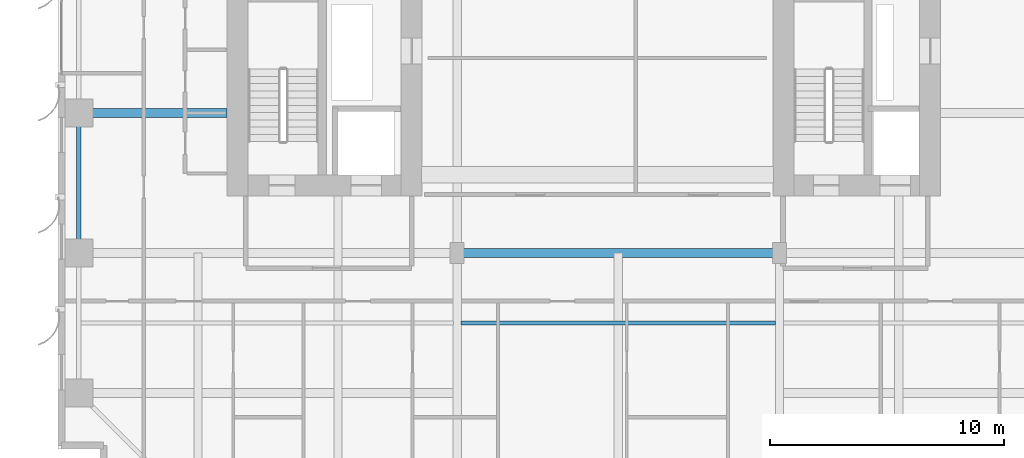
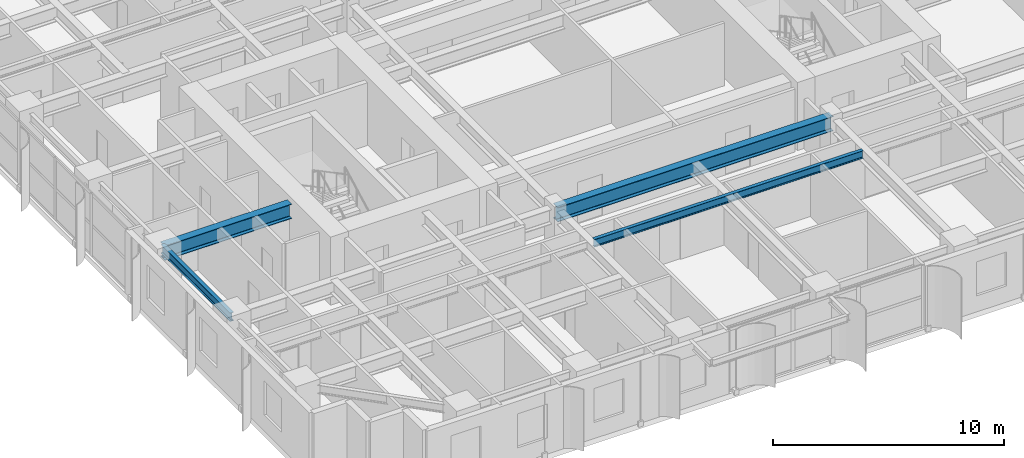
# One storey, part 4 of 22: 4 beams.
"""IFC4 building model written with IfcOpenShell, lengths in metres."""

from ifc_helpers import new_model, si_unit, direction, frame, origin, origin_2d, place, context, subcontext, project, spatial, i_section, extrude, source, transform, mapped, material, material_profile, profile_set, type_object, element, save


model = new_model("IFC4")

# Units and contexts
model_context = context("Model", 3, precision=1e-05, world=origin(), true_north=direction((0.0, 1.0)))
body_context = subcontext(model_context, "Body", "Model", "MODEL_VIEW")
ifc_project = project(units=[si_unit("LENGTHUNIT", "METRE"), si_unit("AREAUNIT", "SQUARE_METRE"), si_unit("VOLUMEUNIT", "CUBIC_METRE"), si_unit("PLANEANGLEUNIT", "RADIAN"), si_unit("MASSUNIT", "GRAM", prefix="KILO")], contexts=[model_context])

# Site, building, storey
site_placement = place(None, origin())
site = spatial("IfcSite", under=ifc_project, at=site_placement, CompositionType="ELEMENT")
building_placement = place(site_placement, origin())
building = spatial("IfcBuilding", under=site, at=building_placement, Name="Khoralis Quay Care Tower", CompositionType="ELEMENT")
storey_placement = place(building_placement, frame((0.0, 0.0, 44.10009765625)))
storey = spatial("IfcBuildingStorey", under=building, at=storey_placement, Name="L11", CompositionType="ELEMENT", Elevation=44.10009765625)

# Beams
ifc_material = material(Name="Steel S355", Category="steel")
ifc_material_profile_1 = material_profile(ifc_material, i_section(OverallWidth=0.18994140625, OverallDepth=0.449951171875, WebThickness=0.009521484375, FlangeThickness=0.0146484375, FilletRadius=0.02099609375, at=origin_2d()), Name="Steel S355")
ifc_profile_set_1 = profile_set([ifc_material_profile_1], Name="Steel S355")
beam_type_1 = type_object("IfcBeamType", Name="BM-IPE450", PredefinedType="SPANDREL", material=ifc_profile_set_1)
shared_shape_1 = source(origin(), body_context, "Body", "SweptSolid", [
    extrude(i_section(OverallWidth=0.18994140625, OverallDepth=0.449951171875, WebThickness=0.009521484375, FlangeThickness=0.0146484375, FilletRadius=0.02099609375, at=origin_2d()), origin(), (0.0, 0.0, 1.0), 6.0),
])
beam_1_placement = place(storey_placement, frame((0.89990234375, 12.0, 3.094970703125), z_axis=(0.0, 1.0, 0.0), x_axis=(-1.0, 0.0, 0.0)))
element("IfcBeam", 1, at=beam_1_placement, inside=storey, type_object=beam_type_1, Name="BM-TSP-L11-14", PredefinedType="SPANDREL", context=body_context, shape_type="MappedRepresentation", body=[
    mapped(shared_shape_1, transform((0.0, 0.0, 0.0), scale=1.0)),
])
ifc_material_profile_2 = material_profile(ifc_material, i_section(OverallWidth=0.381103515625, OverallDepth=0.77294921875, WebThickness=0.0166015625, FlangeThickness=0.027587890625, FilletRadius=0.02197265625, at=origin_2d()), Name="Steel S355")
ifc_profile_set_2 = profile_set([ifc_material_profile_2], Name="Steel S355")
beam_type_2 = type_object("IfcBeamType", Name="BM-W760X257", PredefinedType="BEAM", material=ifc_profile_set_2)
shared_shape_2 = source(origin(), body_context, "Body", "SweptSolid", [
    extrude(i_section(OverallWidth=0.381103515625, OverallDepth=0.77294921875, WebThickness=0.0166015625, FlangeThickness=0.027587890625, FilletRadius=0.02197265625, at=origin_2d()), origin(), (0.0, 0.0, 1.0), 6.35205078125),
])
beam_2_placement = place(storey_placement, frame((0.89990234375, 18.0, 2.933349609375), z_axis=(1.0, 0.0, 0.0), x_axis=(0.0, 1.0, 0.0)))
element("IfcBeam", 2, at=beam_2_placement, inside=storey, type_object=beam_type_2, Name="BM-TGXW-L11-180", PredefinedType="BEAM", context=body_context, shape_type="MappedRepresentation", body=[
    mapped(shared_shape_2, transform((0.0, 0.0, 0.0), scale=1.0)),
])
shared_shape_3 = source(origin(), body_context, "Body", "SweptSolid", [
    extrude(i_section(OverallWidth=0.381103515625, OverallDepth=0.77294921875, WebThickness=0.0166015625, FlangeThickness=0.027587890625, FilletRadius=0.02197265625, at=origin_2d()), origin(), (0.0, 0.0, 1.0), 13.7998046875),
])
beam_3_placement = place(storey_placement, frame((17.10009765625, 12.0, 2.933349609375), z_axis=(1.0, 0.0, 0.0), x_axis=(0.0, 1.0, 0.0)))
element("IfcBeam", 3, at=beam_3_placement, inside=storey, type_object=beam_type_2, Name="BM-TGCC-L11-120", PredefinedType="BEAM", context=body_context, shape_type="MappedRepresentation", body=[
    mapped(shared_shape_3, transform((0.0, 0.0, 0.0), scale=1.0)),
])
ifc_material_profile_3 = material_profile(ifc_material, i_section(OverallWidth=0.177978515625, OverallDepth=0.406982421875, WebThickness=0.0078125, FlangeThickness=0.0126953125, FilletRadius=0.012939453125, at=origin_2d()), Name="Steel S355")
ifc_profile_set_3 = profile_set([ifc_material_profile_3], Name="Steel S355")
beam_type_3 = type_object("IfcBeamType", Name="BM-W410X60", PredefinedType="JOIST", material=ifc_profile_set_3)
shared_shape_4 = source(origin(), body_context, "Body", "SweptSolid", [
    extrude(i_section(OverallWidth=0.177978515625, OverallDepth=0.406982421875, WebThickness=0.0078125, FlangeThickness=0.0126953125, FilletRadius=0.012939453125, at=origin_2d()), origin(), (0.0, 0.0, 1.0), 13.46923828125),
])
beam_4_placement = place(storey_placement, frame((17.265380859375, 9.0, 3.116455078125), z_axis=(1.0, 0.0, 0.0), x_axis=(0.0, 1.0, 0.0)))
element("IfcBeam", 4, at=beam_4_placement, inside=storey, type_object=beam_type_3, Name="BM-TJS-L11-31", PredefinedType="JOIST", context=body_context, shape_type="MappedRepresentation", body=[
    mapped(shared_shape_4, transform((0.0, 0.0, 0.0), scale=1.0)),
])

save(model, "model.ifc")
